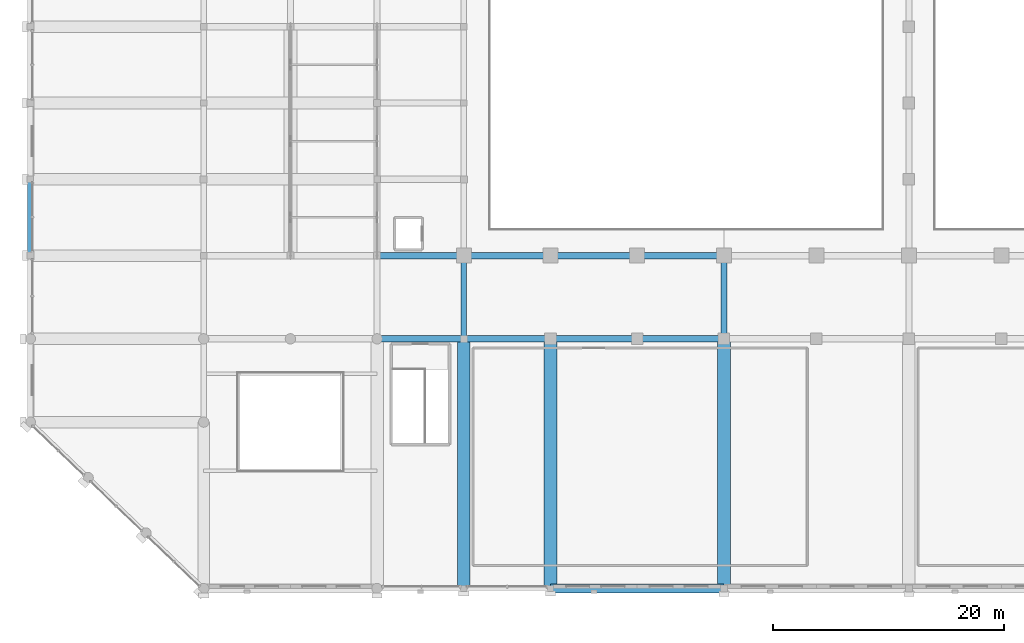
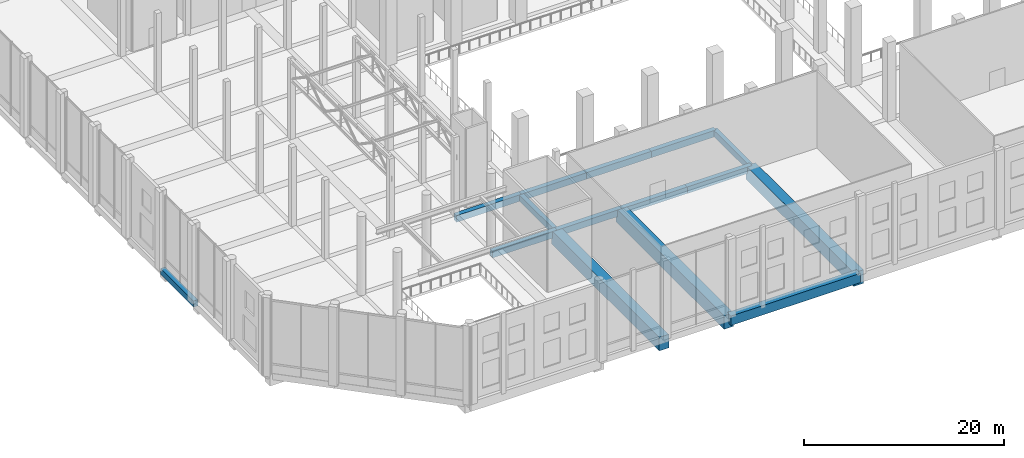
# One storey, part 16 of 80: 15 beams.
"""IFC4 building model written with IfcOpenShell, lengths in metres."""

from ifc_helpers import new_model, si_unit, direction, frame, origin, origin_2d, place, context, subcontext, project, spatial, rectangle, extrude, material, material_profile, profile_set, type_object, element, save


model = new_model("IFC4")

# Units and contexts
model_context = context("Model", 3, precision=1e-05, world=origin(), true_north=direction((0.0, 1.0)))
body_context = subcontext(model_context, "Body", "Model", "MODEL_VIEW")
ifc_project = project(units=[si_unit("LENGTHUNIT", "METRE"), si_unit("AREAUNIT", "SQUARE_METRE"), si_unit("VOLUMEUNIT", "CUBIC_METRE"), si_unit("PLANEANGLEUNIT", "RADIAN"), si_unit("MASSUNIT", "GRAM", prefix="KILO")], contexts=[model_context])

# Site, building, storey
site_placement = place(None, origin())
site = spatial("IfcSite", under=ifc_project, at=site_placement, CompositionType="ELEMENT")
building_placement = place(site_placement, origin())
building = spatial("IfcBuilding", under=site, at=building_placement, Name="Akrevak Sports Hall", CompositionType="ELEMENT")
storey_placement = place(building_placement, frame((0.0, 0.0, 14.0)))
storey = spatial("IfcBuildingStorey", under=building, at=storey_placement, Name="L03", CompositionType="ELEMENT", Elevation=14.0)

# Beams
ifc_material_1 = material(Name="Concrete C50/60", Category="concrete")
ifc_material_profile_1 = material_profile(ifc_material_1, rectangle(XDim=1.10009765625, YDim=1.64990234375, at=origin_2d()), Name="BM 1100x1650", Category="concrete")
ifc_profile_set_1 = profile_set([ifc_material_profile_1], Name="Concrete C50/60")
beam_type_1 = type_object("IfcBeamType", Name="STR-BM-LG1100x1650", PredefinedType="BEAM", material=ifc_profile_set_1)
for number, where, z_axis, x_axis, name in (
    (1, (37.5, 0.0, -0.824951171875), (0.0, 1.0, 0.0), (-1.0, 0.0, 0.0), "Girder 6/A-D (L03)"),
    (2, (45.0, 0.0, -0.824951171875), (0.0, 1.0, 0.0), (-1.0, 0.0, 0.0), "Girder 7/A-D (L03)"),
    (3, (60.0, 0.0, -0.824951171875), (0.0, 1.0, 0.0), (-1.0, 0.0, 0.0), "Girder 9/A-D (L03)"),
):
    element("IfcBeam", number, at=place(storey_placement, frame(where, z_axis=z_axis, x_axis=x_axis)), inside=storey, type_object=beam_type_1, Name=name, PredefinedType="BEAM", context=body_context, shape_type="SweptSolid", body=[
        extrude(rectangle(XDim=1.10009765625, YDim=1.64990234375, at=origin_2d()), origin(), (0.0, 0.0, 1.0), 21.60009765625),
    ])
ifc_material_2 = material(Name="Concrete C40/50", Category="concrete")
ifc_material_profile_2 = material_profile(ifc_material_2, rectangle(XDim=0.5, YDim=0.75, at=origin_2d()), Name="BM 500x750", Category="concrete")
ifc_profile_set_2 = profile_set([ifc_material_profile_2], Name="Concrete C40/50")
beam_type_2 = type_object("IfcBeamType", Name="STR-BM-RC500x750", PredefinedType="BEAM", material=ifc_profile_set_2)
beam_1_placement = place(storey_placement, frame((0.0, 28.800048828125, -0.375), z_axis=(0.0, 1.0, 0.0), x_axis=(-1.0, 0.0, 0.0)))
element("IfcBeam", 4, at=beam_1_placement, inside=storey, type_object=beam_type_2, Name="Girder 1/E-F (L03)", PredefinedType="BEAM", context=body_context, shape_type="SweptSolid", body=[
    extrude(rectangle(XDim=0.5, YDim=0.75, at=origin_2d()), origin(), (0.0, 0.0, 1.0), 6.599853515625),
])
for number, where, z_axis, x_axis, name in (
    (5, (37.5, 21.60009765625, -0.375), (0.0, 1.0, 0.0), (-1.0, 0.0, 0.0), "Girder 6/D-E (L03)"),
    (6, (60.0, 21.60009765625, -0.375), (0.0, 1.0, 0.0), (-1.0, 0.0, 0.0), "Girder 9/D-E (L03)"),
):
    element("IfcBeam", number, at=place(storey_placement, frame(where, z_axis=z_axis, x_axis=x_axis)), inside=storey, type_object=beam_type_2, Name=name, PredefinedType="BEAM", context=body_context, shape_type="SweptSolid", body=[
        extrude(rectangle(XDim=0.5, YDim=0.75, at=origin_2d()), origin(), (0.0, 0.0, 1.0), 7.199951171875),
    ])
ifc_material_profile_3 = material_profile(ifc_material_2, rectangle(XDim=0.550048828125, YDim=0.800048828125, at=origin_2d()), Name="BM 550x800", Category="concrete")
ifc_profile_set_3 = profile_set([ifc_material_profile_3], Name="Concrete C40/50")
beam_type_3 = type_object("IfcBeamType", Name="STR-BM-RC550x800", PredefinedType="BEAM", material=ifc_profile_set_3)
for number, where, z_axis, x_axis, name in (
    (7, (30.0, 21.60009765625, -0.39990234375), (1.0, 0.0, 0.0), (0.0, 1.0, 0.0), "Girder D/5-6 (L03)"),
    (8, (37.5, 21.60009765625, -0.39990234375), (1.0, 0.0, 0.0), (0.0, 1.0, 0.0), "Girder D/6-7 (L03)"),
    (9, (45.0, 21.60009765625, -0.39990234375), (1.0, 0.0, 0.0), (0.0, 1.0, 0.0), "Girder D/7-8 (L03)"),
    (10, (52.5, 21.60009765625, -0.39990234375), (1.0, 0.0, 0.0), (0.0, 1.0, 0.0), "Girder D/8-9 (L03)"),
    (11, (30.0, 28.800048828125, -0.39990234375), (1.0, 0.0, 0.0), (0.0, 1.0, 0.0), "Girder E/5-6 (L03)"),
    (12, (37.5, 28.800048828125, -0.39990234375), (1.0, 0.0, 0.0), (0.0, 1.0, 0.0), "Girder E/6-7 (L03)"),
    (13, (45.0, 28.800048828125, -0.39990234375), (1.0, 0.0, 0.0), (0.0, 1.0, 0.0), "Girder E/7-8 (L03)"),
    (14, (52.5, 28.800048828125, -0.39990234375), (1.0, 0.0, 0.0), (0.0, 1.0, 0.0), "Girder E/8-9 (L03)"),
):
    element("IfcBeam", number, at=place(storey_placement, frame(where, z_axis=z_axis, x_axis=x_axis)), inside=storey, type_object=beam_type_3, Name=name, PredefinedType="BEAM", context=body_context, shape_type="SweptSolid", body=[
        extrude(rectangle(XDim=0.550048828125, YDim=0.800048828125, at=origin_2d()), origin(), (0.0, 0.0, 1.0), 7.5),
    ])
ifc_material_profile_4 = material_profile(ifc_material_1, rectangle(XDim=0.75, YDim=1.14990234375, at=origin_2d()), Name="SPD 750x1150", Category="concrete")
ifc_profile_set_4 = profile_set([ifc_material_profile_4], Name="Concrete C50/60")
beam_type_4 = type_object("IfcBeamType", Name="STR-SPD-LSP750x1150", PredefinedType="SPANDREL", material=ifc_profile_set_4)
beam_2_placement = place(storey_placement, frame((45.0, 0.0, -0.574951171875), z_axis=(1.0, 0.0, 0.0), x_axis=(0.0, 1.0, 0.0)))
element("IfcBeam", 15, at=beam_2_placement, inside=storey, type_object=beam_type_4, Name="Girder A/7-9 (L03)", PredefinedType="SPANDREL", context=body_context, shape_type="SweptSolid", body=[
    extrude(rectangle(XDim=0.75, YDim=1.14990234375, at=origin_2d()), origin(), (0.0, 0.0, 1.0), 15.0),
])

save(model, "model.ifc")
